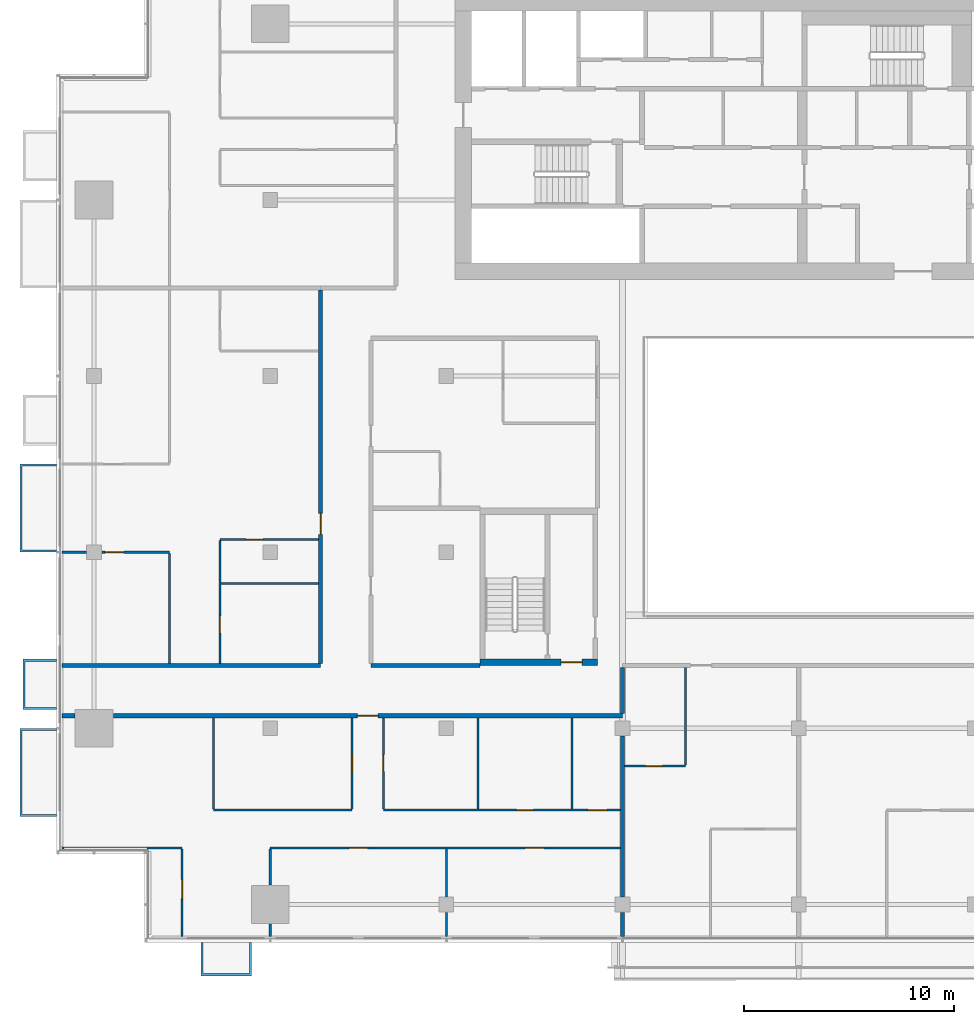
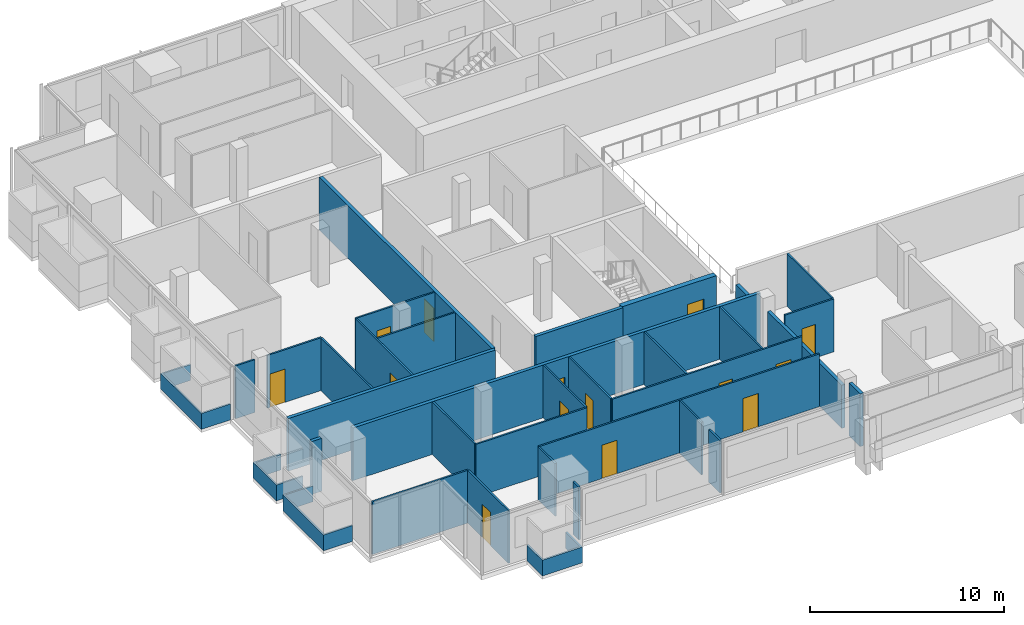
# One storey, part 18 of 28: 35 walls, 14 doors, 14 openings.
"""IFC4 building model written with IfcOpenShell, lengths in metres."""

from ifc_helpers import new_model, si_unit, direction, frame, frame_2d, origin, place, context, subcontext, project, spatial, polyline, rectangle, outline, extrude, material, layer, layer_set, type_object, element, fill, save


model = new_model("IFC4")

# Units and contexts
model_context = context("Model", 3, precision=1e-05, world=origin(), true_north=direction((0.0, 1.0)))
body_context = subcontext(model_context, "Body", "Model", "MODEL_VIEW")
ifc_project = project(units=[si_unit("LENGTHUNIT", "METRE"), si_unit("AREAUNIT", "SQUARE_METRE"), si_unit("VOLUMEUNIT", "CUBIC_METRE"), si_unit("PLANEANGLEUNIT", "RADIAN"), si_unit("MASSUNIT", "GRAM", prefix="KILO")], contexts=[model_context])

# Site, building, storey
site_placement = place(None, origin())
site = spatial("IfcSite", under=ifc_project, at=site_placement, CompositionType="ELEMENT")
building_placement = place(site_placement, origin())
building = spatial("IfcBuilding", under=site, at=building_placement, Name="Saffron Gate Tower", CompositionType="ELEMENT")
storey_placement = place(building_placement, frame((0.0, 0.0, 151.050048828125)))
storey = spatial("IfcBuildingStorey", under=building, at=storey_placement, Name="L36", CompositionType="ELEMENT", Elevation=151.050048828125)

# Wall, opening, door
ifc_material_1 = material(Name="Concrete C60", Category="concrete")
ifc_layer_1 = layer(ifc_material_1, 0.300048828125)
ifc_layer_set_1 = layer_set([ifc_layer_1], Name="CW17 RC core wall 300 C60")
wall_type_1 = type_object("IfcWallType", Name="CW17 RC core wall 300 C60", PredefinedType="SOLIDWALL", material=ifc_layer_set_1)
wall_1_placement = place(storey_placement, frame((68.199951171875, 43.35009765625, 0.0), z_axis=(0.0, 0.0, 1.0), x_axis=(1.0, 0.0, 0.0)))
wall_1 = element("IfcWall", 1, at=wall_1_placement, inside=storey, type_object=wall_type_1, Name="Wall CW17-L36-D-1", PredefinedType="SOLIDWALL", context=body_context, shape_type="SweptSolid", body=[
    extrude(rectangle(XDim=5.60009765625, YDim=0.300048828125, at=frame_2d((2.800048828125, 0.0))), origin(), (0.0, 0.0, 1.0), 3.320068359375),
])
opening_1_placement = place(wall_1_placement, frame((3.875, 0.0, 0.0)))
opening_1 = element("IfcOpeningElement", 2, at=opening_1_placement, cuts=wall_1, Name="Opening CR-18", PredefinedType="OPENING", context=body_context, shape_type="SweptSolid", body=[
    extrude(rectangle(XDim=1.0, YDim=2.10009765625, at=frame_2d((0.5, 1.050048828125))), frame((0.0, 0.16015625, 0.0), z_axis=(0.0, -1.0, 0.0), x_axis=(1.0, 0.0, 0.0)), (0.0, 0.0, 1.0), 0.320068359375),
])
ifc_material_2 = material(Name="Steel fire door set", Category="steel")
door_type_1 = type_object("IfcDoorType", Name="CD4 Lobby door 1000x2100 EI 120", OperationType="NOTDEFINED", PredefinedType="DOOR", material=ifc_material_2)
door_1_placement = place(opening_1_placement, origin())
door_1 = element("IfcDoor", 3, at=door_1_placement, inside=storey, type_object=door_type_1, Name="DOOR CR-18", OperationType="SINGLE_SWING_RIGHT", OverallHeight=2.10009765625, OverallWidth=1.0, PredefinedType="DOOR", context=body_context, shape_type="SweptSolid", body=[
    extrude(rectangle(XDim=1.0, YDim=2.10009765625, at=frame_2d((0.5, 1.050048828125))), frame((0.0, 0.02490234375, 0.0), z_axis=(0.0, -1.0, 0.0), x_axis=(1.0, 0.0, 0.0)), (0.0, 0.0, 1.0), 0.050048828125),
])
fill(opening_1, door_1)

# Wall
ifc_material_3 = material(Name="Plasterboard on steel studs", Category="steel")
ifc_layer_2 = layer(ifc_material_3, 0.10009765625)
ifc_layer_set_2 = layer_set([ifc_layer_2], Name="PW1 Partition 100")
wall_type_2 = type_object("IfcWallType", Name="PW1 Partition 100", PredefinedType="PARTITIONING", material=ifc_layer_set_2)
wall_2_placement = place(storey_placement, frame((48.280029296875, 34.5, 0.0), z_axis=(0.0, 0.0, 1.0), x_axis=(1.0, 0.0, 0.0)))
element("IfcWall", 4, at=wall_2_placement, inside=storey, type_object=wall_type_2, Name="Partition C1-1", PredefinedType="PARTITIONING", context=body_context, shape_type="SweptSolid", body=[
    extrude(rectangle(XDim=5.719970703125, YDim=0.10009765625, at=frame_2d((2.85986328125, 0.0))), origin(), (0.0, 0.0, 1.0), 3.320068359375),
])

# Wall, openings, doors
wall_3_placement = place(storey_placement, frame((74.89990234375, 34.5, 0.0), z_axis=(0.0, 0.0, 1.0), x_axis=(-1.0, 0.0, 0.0)))
wall_3 = element("IfcWall", 5, at=wall_3_placement, inside=storey, type_object=wall_type_2, Name="Partition C1-2", PredefinedType="PARTITIONING", context=body_context, shape_type="SweptSolid", body=[
    extrude(rectangle(XDim=16.699951171875, YDim=0.10009765625, at=frame_2d((8.35009765625, 0.0))), origin(), (0.0, 0.0, 1.0), 3.320068359375),
])
opening_2_placement = place(wall_3_placement, frame((3.64990234375, 0.0, 0.0)))
opening_2 = element("IfcOpeningElement", 6, at=opening_2_placement, cuts=wall_3, Name="Opening C1-13", PredefinedType="OPENING", context=body_context, shape_type="SweptSolid", body=[
    extrude(rectangle(XDim=0.89990234375, YDim=2.10009765625, at=frame_2d((0.449951171875, 1.050048828125))), frame((0.0, 0.06005859375, 0.0), z_axis=(0.0, -1.0, 0.0), x_axis=(1.0, 0.0, 0.0)), (0.0, 0.0, 1.0), 0.1201171875),
])
opening_3_placement = place(wall_3_placement, frame((12.050048828125, 0.0, 0.0)))
opening_3 = element("IfcOpeningElement", 7, at=opening_3_placement, cuts=wall_3, Name="Opening C1-12", PredefinedType="OPENING", context=body_context, shape_type="SweptSolid", body=[
    extrude(rectangle(XDim=0.89990234375, YDim=2.10009765625, at=frame_2d((0.449951171875, 1.050048828125))), frame((0.0, 0.06005859375, 0.0), z_axis=(0.0, -1.0, 0.0), x_axis=(1.0, 0.0, 0.0)), (0.0, 0.0, 1.0), 0.1201171875),
])
ifc_material_4 = material(Name="Timber door set", Category="wood")
door_type_2 = type_object("IfcDoorType", Name="RD1 Room door 900x2100", OperationType="NOTDEFINED", PredefinedType="DOOR", material=ifc_material_4)
door_2_placement = place(opening_2_placement, origin())
door_2 = element("IfcDoor", 8, at=door_2_placement, inside=storey, type_object=door_type_2, Name="Door C1-13", OperationType="SINGLE_SWING_LEFT", OverallHeight=2.10009765625, OverallWidth=0.89990234375, PredefinedType="DOOR", context=body_context, shape_type="SweptSolid", body=[
    extrude(rectangle(XDim=0.89990234375, YDim=2.10009765625, at=frame_2d((0.449951171875, 1.050048828125))), frame((0.0, 0.02490234375, 0.0), z_axis=(0.0, -1.0, 0.0), x_axis=(1.0, 0.0, 0.0)), (0.0, 0.0, 1.0), 0.050048828125),
])
fill(opening_2, door_2)
door_3_placement = place(opening_3_placement, origin())
door_3 = element("IfcDoor", 9, at=door_3_placement, inside=storey, type_object=door_type_2, Name="Door C1-12", OperationType="SINGLE_SWING_RIGHT", OverallHeight=2.10009765625, OverallWidth=0.89990234375, PredefinedType="DOOR", context=body_context, shape_type="SweptSolid", body=[
    extrude(rectangle(XDim=0.89990234375, YDim=2.10009765625, at=frame_2d((0.449951171875, 1.050048828125))), frame((0.0, 0.02490234375, 0.0), z_axis=(0.0, -1.0, 0.0), x_axis=(1.0, 0.0, 0.0)), (0.0, 0.0, 1.0), 0.050048828125),
])
fill(opening_3, door_3)

# Wall
wall_4_placement = place(storey_placement, frame((55.5, 36.300048828125, 0.0), z_axis=(0.0, 0.0, 1.0), x_axis=(1.0, 0.0, 0.0)))
element("IfcWall", 10, at=wall_4_placement, inside=storey, type_object=wall_type_2, Name="Partition C1-6", PredefinedType="PARTITIONING", context=body_context, shape_type="SweptSolid", body=[
    extrude(rectangle(XDim=6.60009765625, YDim=0.10009765625, at=frame_2d((3.300048828125, 0.0))), origin(), (0.0, 0.0, 1.0), 3.320068359375),
])

# Wall, openings, doors
wall_5_placement = place(storey_placement, frame((63.60009765625, 36.300048828125, 0.0), z_axis=(0.0, 0.0, 1.0), x_axis=(1.0, 0.0, 0.0)))
wall_5 = element("IfcWall", 11, at=wall_5_placement, inside=storey, type_object=wall_type_2, Name="Partition C1-7", PredefinedType="PARTITIONING", context=body_context, shape_type="SweptSolid", body=[
    extrude(rectangle(XDim=11.2998046875, YDim=0.10009765625, at=frame_2d((5.64990234375, 0.0))), origin(), (0.0, 0.0, 1.0), 3.320068359375),
])
opening_4_placement = place(wall_5_placement, frame((6.35009765625, 0.0, 0.0)))
opening_4 = element("IfcOpeningElement", 12, at=opening_4_placement, cuts=wall_5, Name="Opening C1-40", PredefinedType="OPENING", context=body_context, shape_type="SweptSolid", body=[
    extrude(rectangle(XDim=0.800048828125, YDim=2.10009765625, at=frame_2d((0.39990234375, 1.050048828125))), frame((0.0, 0.06005859375, 0.0), z_axis=(0.0, -1.0, 0.0), x_axis=(1.0, 0.0, 0.0)), (0.0, 0.0, 1.0), 0.1201171875),
])
opening_5_placement = place(wall_5_placement, frame((9.75, 0.0, 0.0)))
opening_5 = element("IfcOpeningElement", 13, at=opening_5_placement, cuts=wall_5, Name="Opening C1-15", PredefinedType="OPENING", context=body_context, shape_type="SweptSolid", body=[
    extrude(rectangle(XDim=0.89990234375, YDim=2.10009765625, at=frame_2d((0.449951171875, 1.050048828125))), frame((0.0, 0.06005859375, 0.0), z_axis=(0.0, -1.0, 0.0), x_axis=(1.0, 0.0, 0.0)), (0.0, 0.0, 1.0), 0.1201171875),
])
door_4_placement = place(opening_5_placement, origin())
door_4 = element("IfcDoor", 14, at=door_4_placement, inside=storey, type_object=door_type_2, Name="Door C1-15", OperationType="SINGLE_SWING_RIGHT", OverallHeight=2.10009765625, OverallWidth=0.89990234375, PredefinedType="DOOR", context=body_context, shape_type="SweptSolid", body=[
    extrude(rectangle(XDim=0.89990234375, YDim=2.10009765625, at=frame_2d((0.449951171875, 1.050048828125))), frame((0.0, 0.02490234375, 0.0), z_axis=(0.0, -1.0, 0.0), x_axis=(1.0, 0.0, 0.0)), (0.0, 0.0, 1.0), 0.050048828125),
])
fill(opening_5, door_4)
door_type_3 = type_object("IfcDoorType", Name="RD2 Bathroom door 800x2100", OperationType="NOTDEFINED", PredefinedType="DOOR", material=ifc_material_4)
door_5_placement = place(opening_4_placement, origin())
door_5 = element("IfcDoor", 15, at=door_5_placement, inside=storey, type_object=door_type_3, Name="Door C1-40", OperationType="SINGLE_SWING_RIGHT", OverallHeight=2.10009765625, OverallWidth=0.800048828125, PredefinedType="DOOR", context=body_context, shape_type="SweptSolid", body=[
    extrude(rectangle(XDim=0.800048828125, YDim=2.10009765625, at=frame_2d((0.39990234375, 1.050048828125))), frame((0.0, 0.02490234375, 0.0), z_axis=(0.0, -1.0, 0.0), x_axis=(1.0, 0.0, 0.0)), (0.0, 0.0, 1.0), 0.050048828125),
])
fill(opening_4, door_5)

# Wall, opening, door
wall_6_placement = place(storey_placement, frame((75.10009765625, 38.39990234375, 0.0), z_axis=(0.0, 0.0, 1.0), x_axis=(1.0, 0.0, 0.0)))
wall_6 = element("IfcWall", 16, at=wall_6_placement, inside=storey, type_object=wall_type_2, Name="Partition C1-9", PredefinedType="PARTITIONING", context=body_context, shape_type="SweptSolid", body=[
    extrude(rectangle(XDim=2.89990234375, YDim=0.10009765625, at=frame_2d((1.449951171875, 0.0))), origin(), (0.0, 0.0, 1.0), 3.320068359375),
])
opening_6_placement = place(wall_6_placement, frame((1.0, 0.0, 0.0)))
opening_6 = element("IfcOpeningElement", 17, at=opening_6_placement, cuts=wall_6, Name="Opening C1-41", PredefinedType="OPENING", context=body_context, shape_type="SweptSolid", body=[
    extrude(rectangle(XDim=0.800048828125, YDim=2.10009765625, at=frame_2d((0.39990234375, 1.050048828125))), frame((0.0, 0.06005859375, 0.0), z_axis=(0.0, -1.0, 0.0), x_axis=(1.0, 0.0, 0.0)), (0.0, 0.0, 1.0), 0.1201171875),
])
door_6_placement = place(opening_6_placement, origin())
door_6 = element("IfcDoor", 18, at=door_6_placement, inside=storey, type_object=door_type_3, Name="Door C1-41", OperationType="SINGLE_SWING_LEFT", OverallHeight=2.10009765625, OverallWidth=0.800048828125, PredefinedType="DOOR", context=body_context, shape_type="SweptSolid", body=[
    extrude(rectangle(XDim=0.800048828125, YDim=2.10009765625, at=frame_2d((0.39990234375, 1.050048828125))), frame((0.0, 0.02490234375, 0.0), z_axis=(0.0, -1.0, 0.0), x_axis=(1.0, 0.0, 0.0)), (0.0, 0.0, 1.0), 0.050048828125),
])
fill(opening_6, door_6)

# Walls
wall_7_placement = place(storey_placement, frame((55.85009765625, 47.10009765625, 0.0), z_axis=(0.0, 0.0, 1.0), x_axis=(1.0, 0.0, 0.0)))
element("IfcWall", 19, at=wall_7_placement, inside=storey, type_object=wall_type_2, Name="Partition C1-20", PredefinedType="PARTITIONING", context=body_context, shape_type="SweptSolid", body=[
    extrude(rectangle(XDim=4.64990234375, YDim=0.10009765625, at=frame_2d((2.324951171875, 0.0))), origin(), (0.0, 0.0, 1.0), 3.320068359375),
])
wall_8_placement = place(storey_placement, frame((48.280029296875, 48.60009765625, 0.0), z_axis=(0.0, 0.0, 1.0), x_axis=(1.0, 0.0, 0.0)))
element("IfcWall", 20, at=wall_8_placement, inside=storey, type_object=wall_type_2, Name="Partition C1-21", PredefinedType="PARTITIONING", context=body_context, shape_type="SweptSolid", body=[
    extrude(rectangle(XDim=1.14990234375, YDim=0.10009765625, at=frame_2d((0.574951171875, 0.0))), origin(), (0.0, 0.0, 1.0), 3.320068359375),
])

# Wall, opening, door
wall_9_placement = place(storey_placement, frame((53.39990234375, 48.60009765625, 0.0), z_axis=(0.0, 0.0, 1.0), x_axis=(-1.0, 0.0, 0.0)))
wall_9 = element("IfcWall", 21, at=wall_9_placement, inside=storey, type_object=wall_type_2, Name="Partition C1-22", PredefinedType="PARTITIONING", context=body_context, shape_type="SweptSolid", body=[
    extrude(rectangle(XDim=3.22998046875, YDim=0.10009765625, at=frame_2d((1.614990234375, 0.0))), origin(), (0.0, 0.0, 1.0), 3.320068359375),
])
opening_7_placement = place(wall_9_placement, frame((2.179931640625, 0.0, 0.0)))
opening_7 = element("IfcOpeningElement", 22, at=opening_7_placement, cuts=wall_9, Name="Opening C1-25", PredefinedType="OPENING", context=body_context, shape_type="SweptSolid", body=[
    extrude(rectangle(XDim=0.89990234375, YDim=2.10009765625, at=frame_2d((0.449951171875, 1.050048828125))), frame((0.0, 0.06005859375, 0.0), z_axis=(0.0, -1.0, 0.0), x_axis=(1.0, 0.0, 0.0)), (0.0, 0.0, 1.0), 0.1201171875),
])
door_7_placement = place(opening_7_placement, origin())
door_7 = element("IfcDoor", 23, at=door_7_placement, inside=storey, type_object=door_type_2, Name="Door C1-25", OperationType="SINGLE_SWING_RIGHT", OverallHeight=2.10009765625, OverallWidth=0.89990234375, PredefinedType="DOOR", context=body_context, shape_type="SweptSolid", body=[
    extrude(rectangle(XDim=0.89990234375, YDim=2.10009765625, at=frame_2d((0.449951171875, 1.050048828125))), frame((0.0, 0.02490234375, 0.0), z_axis=(0.0, -1.0, 0.0), x_axis=(1.0, 0.0, 0.0)), (0.0, 0.0, 1.0), 0.050048828125),
])
fill(opening_7, door_7)

wall_10_placement = place(storey_placement, frame((60.5, 49.199951171875, 0.0), z_axis=(0.0, 0.0, 1.0), x_axis=(-1.0, 0.0, 0.0)))
wall_10 = element("IfcWall", 24, at=wall_10_placement, inside=storey, type_object=wall_type_2, Name="Partition C1-25", PredefinedType="PARTITIONING", context=body_context, shape_type="SweptSolid", body=[
    extrude(rectangle(XDim=4.699951171875, YDim=0.10009765625, at=frame_2d((2.35009765625, 0.0))), origin(), (0.0, 0.0, 1.0), 3.320068359375),
])
opening_8_placement = place(wall_10_placement, frame((2.64990234375, 0.0, 0.0)))
opening_8 = element("IfcOpeningElement", 25, at=opening_8_placement, cuts=wall_10, Name="Opening C1-47", PredefinedType="OPENING", context=body_context, shape_type="SweptSolid", body=[
    extrude(rectangle(XDim=0.800048828125, YDim=2.10009765625, at=frame_2d((0.39990234375, 1.050048828125))), frame((0.0, 0.06005859375, 0.0), z_axis=(0.0, -1.0, 0.0), x_axis=(1.0, 0.0, 0.0)), (0.0, 0.0, 1.0), 0.1201171875),
])
door_8_placement = place(opening_8_placement, origin())
door_8 = element("IfcDoor", 26, at=door_8_placement, inside=storey, type_object=door_type_3, Name="Door C1-47", OperationType="SINGLE_SWING_RIGHT", OverallHeight=2.10009765625, OverallWidth=0.800048828125, PredefinedType="DOOR", context=body_context, shape_type="SweptSolid", body=[
    extrude(rectangle(XDim=0.800048828125, YDim=2.10009765625, at=frame_2d((0.39990234375, 1.050048828125))), frame((0.0, 0.02490234375, 0.0), z_axis=(0.0, -1.0, 0.0), x_axis=(1.0, 0.0, 0.0)), (0.0, 0.0, 1.0), 0.050048828125),
])
fill(opening_8, door_8)

# Wall
wall_11_placement = place(storey_placement, frame((53.39990234375, 48.550048828125, 0.0), z_axis=(0.0, 0.0, 1.0), x_axis=(0.0, -1.0, 0.0)))
element("IfcWall", 27, at=wall_11_placement, inside=storey, type_object=wall_type_2, Name="Partition C1-57", PredefinedType="PARTITIONING", context=body_context, shape_type="SweptSolid", body=[
    extrude(rectangle(XDim=5.25, YDim=0.10009765625, at=frame_2d((2.625, 0.0))), origin(), (0.0, 0.0, 1.0), 3.320068359375),
])

# Wall, opening, door
wall_12_placement = place(storey_placement, frame((54.0, 30.280029296875, 0.0), z_axis=(0.0, 0.0, 1.0), x_axis=(0.0, 1.0, 0.0)))
wall_12 = element("IfcWall", 28, at=wall_12_placement, inside=storey, type_object=wall_type_2, Name="Partition C1-58", PredefinedType="PARTITIONING", context=body_context, shape_type="SweptSolid", body=[
    extrude(rectangle(XDim=4.169921875, YDim=0.10009765625, at=frame_2d((2.0849609375, 0.0))), origin(), (0.0, 0.0, 1.0), 3.320068359375),
])
opening_9_placement = place(wall_12_placement, frame((1.802734375, 0.0, 0.0)))
opening_9 = element("IfcOpeningElement", 29, at=opening_9_placement, cuts=wall_12, Name="Opening C1-11", PredefinedType="OPENING", context=body_context, shape_type="SweptSolid", body=[
    extrude(rectangle(XDim=0.89990234375, YDim=2.10009765625, at=frame_2d((0.449951171875, 1.050048828125))), frame((0.0, 0.06005859375, 0.0), z_axis=(0.0, -1.0, 0.0), x_axis=(1.0, 0.0, 0.0)), (0.0, 0.0, 1.0), 0.1201171875),
])
door_9_placement = place(opening_9_placement, origin())
door_9 = element("IfcDoor", 30, at=door_9_placement, inside=storey, type_object=door_type_2, Name="Door C1-11", OperationType="SINGLE_SWING_RIGHT", OverallHeight=2.10009765625, OverallWidth=0.89990234375, PredefinedType="DOOR", context=body_context, shape_type="SweptSolid", body=[
    extrude(rectangle(XDim=0.89990234375, YDim=2.10009765625, at=frame_2d((0.449951171875, 1.050048828125))), frame((0.0, 0.02490234375, 0.0), z_axis=(0.0, -1.0, 0.0), x_axis=(1.0, 0.0, 0.0)), (0.0, 0.0, 1.0), 0.050048828125),
])
fill(opening_9, door_9)

# Wall
wall_13_placement = place(storey_placement, frame((55.5, 40.699951171875, 0.0), z_axis=(0.0, 0.0, 1.0), x_axis=(0.0, -1.0, 0.0)))
element("IfcWall", 31, at=wall_13_placement, inside=storey, type_object=wall_type_2, Name="Partition C1-59", PredefinedType="PARTITIONING", context=body_context, shape_type="SweptSolid", body=[
    extrude(rectangle(XDim=4.349853515625, YDim=0.10009765625, at=frame_2d((2.1748046875, 0.0))), origin(), (0.0, 0.0, 1.0), 3.320068359375),
])

# Wall, opening, door
wall_14_placement = place(storey_placement, frame((55.800048828125, 49.14990234375, 0.0), z_axis=(0.0, 0.0, 1.0), x_axis=(0.0, -1.0, 0.0)))
wall_14 = element("IfcWall", 32, at=wall_14_placement, inside=storey, type_object=wall_type_2, Name="Partition C1-60", PredefinedType="PARTITIONING", context=body_context, shape_type="SweptSolid", body=[
    extrude(rectangle(XDim=5.849853515625, YDim=0.10009765625, at=frame_2d((2.9248046875, 0.0))), origin(), (0.0, 0.0, 1.0), 3.320068359375),
])
opening_10_placement = place(wall_14_placement, frame((3.60009765625, 0.0, 0.0)))
opening_10 = element("IfcOpeningElement", 33, at=opening_10_placement, cuts=wall_14, Name="Opening C1-46", PredefinedType="OPENING", context=body_context, shape_type="SweptSolid", body=[
    extrude(rectangle(XDim=0.800048828125, YDim=2.10009765625, at=frame_2d((0.39990234375, 1.050048828125))), frame((0.0, 0.06005859375, 0.0), z_axis=(0.0, -1.0, 0.0), x_axis=(1.0, 0.0, 0.0)), (0.0, 0.0, 1.0), 0.1201171875),
])
door_10_placement = place(opening_10_placement, origin())
door_10 = element("IfcDoor", 34, at=door_10_placement, inside=storey, type_object=door_type_3, Name="Door C1-46", OperationType="SINGLE_SWING_RIGHT", OverallHeight=2.10009765625, OverallWidth=0.800048828125, PredefinedType="DOOR", context=body_context, shape_type="SweptSolid", body=[
    extrude(rectangle(XDim=0.800048828125, YDim=2.10009765625, at=frame_2d((0.39990234375, 1.050048828125))), frame((0.0, 0.02490234375, 0.0), z_axis=(0.0, -1.0, 0.0), x_axis=(1.0, 0.0, 0.0)), (0.0, 0.0, 1.0), 0.050048828125),
])
fill(opening_10, door_10)

# Walls
wall_15_placement = place(storey_placement, frame((58.199951171875, 30.8798828125, 0.0), z_axis=(0.0, 0.0, 1.0), x_axis=(0.0, -1.0, 0.0)))
element("IfcWall", 35, at=wall_15_placement, inside=storey, type_object=wall_type_2, Name="Partition C1-64", PredefinedType="PARTITIONING", context=body_context, shape_type="SweptSolid", body=[
    extrude(rectangle(XDim=0.599853515625, YDim=0.10009765625, at=frame_2d((0.2998046875, 0.0))), origin(), (0.0, 0.0, 1.0), 3.320068359375),
])
wall_16_placement = place(storey_placement, frame((58.199951171875, 34.449951171875, 0.0), z_axis=(0.0, 0.0, 1.0), x_axis=(0.0, -1.0, 0.0)))
element("IfcWall", 36, at=wall_16_placement, inside=storey, type_object=wall_type_2, Name="Partition C1-65", PredefinedType="PARTITIONING", context=body_context, shape_type="SweptSolid", body=[
    extrude(rectangle(XDim=1.72998046875, YDim=0.10009765625, at=frame_2d((0.864990234375, 0.0))), origin(), (0.0, 0.0, 1.0), 3.320068359375),
])

# Wall, opening, door
wall_17_placement = place(storey_placement, frame((62.10009765625, 36.35009765625, 0.0), z_axis=(0.0, 0.0, 1.0), x_axis=(0.0, 1.0, 0.0)))
wall_17 = element("IfcWall", 37, at=wall_17_placement, inside=storey, type_object=wall_type_2, Name="Partition C1-67", PredefinedType="PARTITIONING", context=body_context, shape_type="SweptSolid", body=[
    extrude(rectangle(XDim=4.349853515625, YDim=0.10009765625, at=frame_2d((2.1748046875, 0.0))), origin(), (0.0, 0.0, 1.0), 3.320068359375),
])
opening_11_placement = place(wall_17_placement, frame((1.75, 0.0, 0.0)))
opening_11 = element("IfcOpeningElement", 38, at=opening_11_placement, cuts=wall_17, Name="Opening C1-14", PredefinedType="OPENING", context=body_context, shape_type="SweptSolid", body=[
    extrude(rectangle(XDim=0.89990234375, YDim=2.10009765625, at=frame_2d((0.449951171875, 1.050048828125))), frame((0.0, 0.06005859375, 0.0), z_axis=(0.0, -1.0, 0.0), x_axis=(1.0, 0.0, 0.0)), (0.0, 0.0, 1.0), 0.1201171875),
])
door_11_placement = place(opening_11_placement, origin())
door_11 = element("IfcDoor", 39, at=door_11_placement, inside=storey, type_object=door_type_2, Name="Door C1-14", OperationType="SINGLE_SWING_RIGHT", OverallHeight=2.10009765625, OverallWidth=0.89990234375, PredefinedType="DOOR", context=body_context, shape_type="SweptSolid", body=[
    extrude(rectangle(XDim=0.89990234375, YDim=2.10009765625, at=frame_2d((0.449951171875, 1.050048828125))), frame((0.0, 0.02490234375, 0.0), z_axis=(0.0, -1.0, 0.0), x_axis=(1.0, 0.0, 0.0)), (0.0, 0.0, 1.0), 0.050048828125),
])
fill(opening_11, door_11)

wall_18_placement = place(storey_placement, frame((63.60009765625, 40.699951171875, 0.0), z_axis=(0.0, 0.0, 1.0), x_axis=(0.0, -1.0, 0.0)))
wall_18 = element("IfcWall", 40, at=wall_18_placement, inside=storey, type_object=wall_type_2, Name="Partition C1-69", PredefinedType="PARTITIONING", context=body_context, shape_type="SweptSolid", body=[
    extrude(rectangle(XDim=4.349853515625, YDim=0.10009765625, at=frame_2d((2.1748046875, 0.0))), origin(), (0.0, 0.0, 1.0), 3.320068359375),
])
opening_12_placement = place(wall_18_placement, frame((1.75, 0.0, 0.0)))
opening_12 = element("IfcOpeningElement", 41, at=opening_12_placement, cuts=wall_18, Name="Opening C1-39", PredefinedType="OPENING", context=body_context, shape_type="SweptSolid", body=[
    extrude(rectangle(XDim=0.800048828125, YDim=2.10009765625, at=frame_2d((0.39990234375, 1.050048828125))), frame((0.0, 0.06005859375, 0.0), z_axis=(0.0, -1.0, 0.0), x_axis=(1.0, 0.0, 0.0)), (0.0, 0.0, 1.0), 0.1201171875),
])
door_12_placement = place(opening_12_placement, origin())
door_12 = element("IfcDoor", 42, at=door_12_placement, inside=storey, type_object=door_type_3, Name="Door C1-39", OperationType="SINGLE_SWING_LEFT", OverallHeight=2.10009765625, OverallWidth=0.800048828125, PredefinedType="DOOR", context=body_context, shape_type="SweptSolid", body=[
    extrude(rectangle(XDim=0.800048828125, YDim=2.10009765625, at=frame_2d((0.39990234375, 1.050048828125))), frame((0.0, 0.02490234375, 0.0), z_axis=(0.0, -1.0, 0.0), x_axis=(1.0, 0.0, 0.0)), (0.0, 0.0, 1.0), 0.050048828125),
])
fill(opening_12, door_12)

# Walls
wall_19_placement = place(storey_placement, frame((66.60009765625, 31.429931640625, 0.0), z_axis=(0.0, 0.0, 1.0), x_axis=(0.0, -1.0, 0.0)))
element("IfcWall", 43, at=wall_19_placement, inside=storey, type_object=wall_type_2, Name="Partition C1-72", PredefinedType="PARTITIONING", context=body_context, shape_type="SweptSolid", body=[
    extrude(rectangle(XDim=1.14990234375, YDim=0.10009765625, at=frame_2d((0.574951171875, 0.0))), origin(), (0.0, 0.0, 1.0), 3.320068359375),
])
wall_20_placement = place(storey_placement, frame((66.60009765625, 34.449951171875, 0.0), z_axis=(0.0, 0.0, 1.0), x_axis=(0.0, -1.0, 0.0)))
element("IfcWall", 44, at=wall_20_placement, inside=storey, type_object=wall_type_2, Name="Partition C1-73", PredefinedType="PARTITIONING", context=body_context, shape_type="SweptSolid", body=[
    extrude(rectangle(XDim=2.280029296875, YDim=0.10009765625, at=frame_2d((1.14013671875, 0.0))), origin(), (0.0, 0.0, 1.0), 3.320068359375),
])
for number, where, z_axis, x_axis, name in (
    (45, (68.10009765625, 40.699951171875, 0.0), (0.0, 0.0, 1.0), (0.0, -1.0, 0.0), "Partition C1-74"),
    (46, (72.60009765625, 40.699951171875, 0.0), (0.0, 0.0, 1.0), (0.0, -1.0, 0.0), "Partition C1-76"),
):
    element("IfcWall", number, at=place(storey_placement, frame(where, z_axis=z_axis, x_axis=x_axis)), inside=storey, type_object=wall_type_2, Name=name, PredefinedType="PARTITIONING", context=body_context, shape_type="SweptSolid", body=[
        extrude(rectangle(XDim=4.349853515625, YDim=0.10009765625, at=frame_2d((2.1748046875, 0.0))), origin(), (0.0, 0.0, 1.0), 3.320068359375),
    ])
wall_21_placement = place(storey_placement, frame((78.0, 43.10009765625, 0.0), z_axis=(0.0, 0.0, 1.0), x_axis=(0.0, -1.0, 0.0)))
element("IfcWall", 47, at=wall_21_placement, inside=storey, type_object=wall_type_2, Name="Partition C1-81", PredefinedType="PARTITIONING", context=body_context, shape_type="SweptSolid", body=[
    extrude(rectangle(XDim=4.650146484375, YDim=0.10009765625, at=frame_2d((2.3251953125, 0.0))), origin(), (0.0, 0.0, 1.0), 3.320068359375),
])
ifc_material_5 = material(Name="Clay brick masonry, rendered", Category="masonry")
ifc_layer_3 = layer(ifc_material_5, 0.199951171875)
ifc_layer_set_3 = layer_set([ifc_layer_3], Name="PW2 Demising wall 200")
wall_type_3 = type_object("IfcWallType", Name="PW2 Demising wall 200", PredefinedType="PARTITIONING", material=ifc_layer_set_3)
wall_22_placement = place(storey_placement, frame((75.0, 31.429931640625, 0.0), z_axis=(0.0, 0.0, 1.0), x_axis=(0.0, -1.0, 0.0)))
element("IfcWall", 48, at=wall_22_placement, inside=storey, type_object=wall_type_3, Name="Wall C1-79", PredefinedType="PARTITIONING", context=body_context, shape_type="SweptSolid", body=[
    extrude(rectangle(XDim=1.14990234375, YDim=0.199951171875, at=frame_2d((0.574951171875, 0.0))), origin(), (0.0, 0.0, 1.0), 3.320068359375),
])
wall_23_placement = place(storey_placement, frame((75.0, 39.830078125, 0.0), z_axis=(0.0, 0.0, 1.0), x_axis=(0.0, -1.0, 0.0)))
element("IfcWall", 49, at=wall_23_placement, inside=storey, type_object=wall_type_3, Name="Wall C1-80", PredefinedType="PARTITIONING", context=body_context, shape_type="SweptSolid", body=[
    extrude(rectangle(XDim=7.66015625, YDim=0.199951171875, at=frame_2d((3.830078125, 0.0))), origin(), (0.0, 0.0, 1.0), 2.719970703125),
])
ifc_layer_4 = layer(ifc_material_5, 0.199951171875)
ifc_layer_set_4 = layer_set([ifc_layer_4], Name="PW3 Corridor wall 200")
wall_type_4 = type_object("IfcWallType", Name="PW3 Corridor wall 200", PredefinedType="PARTITIONING", material=ifc_layer_set_4)
wall_24_placement = place(storey_placement, frame((48.280029296875, 40.800048828125, 0.0), z_axis=(0.0, 0.0, 1.0), x_axis=(1.0, 0.0, 0.0)))
element("IfcWall", 50, at=wall_24_placement, inside=storey, type_object=wall_type_4, Name="Wall C1-11", PredefinedType="PARTITIONING", context=body_context, shape_type="SweptSolid", body=[
    extrude(rectangle(XDim=0.599853515625, YDim=0.199951171875, at=frame_2d((0.2998046875, 0.0))), origin(), (0.0, 0.0, 1.0), 3.320068359375),
])

# Wall, opening, door
wall_25_placement = place(storey_placement, frame((75.0, 40.800048828125, 0.0), z_axis=(0.0, 0.0, 1.0), x_axis=(-1.0, 0.0, 0.0)))
wall_25 = element("IfcWall", 51, at=wall_25_placement, inside=storey, type_object=wall_type_4, Name="Wall C1-12", PredefinedType="PARTITIONING", context=body_context, shape_type="SweptSolid", body=[
    extrude(rectangle(XDim=24.280029296875, YDim=0.199951171875, at=frame_2d((12.14013671875, 0.0))), origin(), (0.0, 0.0, 1.0), 3.320068359375),
])
opening_13_placement = place(wall_25_placement, frame((11.64990234375, 0.0, 0.0)))
opening_13 = element("IfcOpeningElement", 52, at=opening_13_placement, cuts=wall_25, Name="Opening C1-1", PredefinedType="OPENING", context=body_context, shape_type="SweptSolid", body=[
    extrude(rectangle(XDim=1.0, YDim=2.10009765625, at=frame_2d((0.5, 1.050048828125))), frame((0.0, 0.10986328125, 0.0), z_axis=(0.0, -1.0, 0.0), x_axis=(1.0, 0.0, 0.0)), (0.0, 0.0, 1.0), 0.219970703125),
])
ifc_material_6 = material(Name="Timber fire door set", Category="wood")
door_type_4 = type_object("IfcDoorType", Name="FD1 Flat entry door 1000x2100", OperationType="NOTDEFINED", PredefinedType="DOOR", material=ifc_material_6)
door_13_placement = place(opening_13_placement, origin())
door_13 = element("IfcDoor", 53, at=door_13_placement, inside=storey, type_object=door_type_4, Name="Door C1-1", OperationType="SINGLE_SWING_LEFT", OverallHeight=2.10009765625, OverallWidth=1.0, PredefinedType="DOOR", context=body_context, shape_type="SweptSolid", body=[
    extrude(rectangle(XDim=1.0, YDim=2.10009765625, at=frame_2d((0.5, 1.050048828125))), frame((0.0, 0.02490234375, 0.0), z_axis=(0.0, -1.0, 0.0), x_axis=(1.0, 0.0, 0.0)), (0.0, 0.0, 1.0), 0.050048828125),
])
fill(opening_13, door_13)

# Walls
wall_26_placement = place(storey_placement, frame((48.280029296875, 43.199951171875, 0.0), z_axis=(0.0, 0.0, 1.0), x_axis=(1.0, 0.0, 0.0)))
element("IfcWall", 54, at=wall_26_placement, inside=storey, type_object=wall_type_4, Name="Wall C1-15", PredefinedType="PARTITIONING", context=body_context, shape_type="SweptSolid", body=[
    extrude(rectangle(XDim=12.320068359375, YDim=0.199951171875, at=frame_2d((6.16015625, 0.0))), origin(), (0.0, 0.0, 1.0), 3.320068359375),
])
wall_27_placement = place(storey_placement, frame((63.0, 43.199951171875, 0.0), z_axis=(0.0, 0.0, 1.0), x_axis=(1.0, 0.0, 0.0)))
element("IfcWall", 55, at=wall_27_placement, inside=storey, type_object=wall_type_4, Name="Wall C1-16", PredefinedType="PARTITIONING", context=body_context, shape_type="SweptSolid", body=[
    extrude(rectangle(XDim=5.199951171875, YDim=0.199951171875, at=frame_2d((2.60009765625, 0.0))), origin(), (0.0, 0.0, 1.0), 3.320068359375),
])

# Wall, opening, door
wall_28_placement = place(storey_placement, frame((60.60009765625, 43.300048828125, 0.0), z_axis=(0.0, 0.0, 1.0), x_axis=(0.0, 1.0, 0.0)))
wall_28 = element("IfcWall", 56, at=wall_28_placement, inside=storey, type_object=wall_type_4, Name="Wall C1-66", PredefinedType="PARTITIONING", context=body_context, shape_type="SweptSolid", body=[
    extrude(rectangle(XDim=17.800048828125, YDim=0.199951171875, at=frame_2d((8.89990234375, 0.0))), origin(), (0.0, 0.0, 1.0), 3.320068359375),
])
opening_14_placement = place(wall_28_placement, frame((6.14990234375, 0.0, 0.0)))
opening_14 = element("IfcOpeningElement", 57, at=opening_14_placement, cuts=wall_28, Name="Opening C1-5", PredefinedType="OPENING", context=body_context, shape_type="SweptSolid", body=[
    extrude(rectangle(XDim=1.0, YDim=2.10009765625, at=frame_2d((0.5, 1.050048828125))), frame((0.0, 0.10986328125, 0.0), z_axis=(0.0, -1.0, 0.0), x_axis=(1.0, 0.0, 0.0)), (0.0, 0.0, 1.0), 0.219970703125),
])
door_14_placement = place(opening_14_placement, origin())
door_14 = element("IfcDoor", 58, at=door_14_placement, inside=storey, type_object=door_type_4, Name="Door C1-5", OperationType="SINGLE_SWING_RIGHT", OverallHeight=2.10009765625, OverallWidth=1.0, PredefinedType="DOOR", context=body_context, shape_type="SweptSolid", body=[
    extrude(rectangle(XDim=1.0, YDim=2.10009765625, at=frame_2d((0.5, 1.050048828125))), frame((0.0, 0.02490234375, 0.0), z_axis=(0.0, -1.0, 0.0), x_axis=(1.0, 0.0, 0.0)), (0.0, 0.0, 1.0), 0.050048828125),
])
fill(opening_14, door_14)

# Walls
wall_29_placement = place(storey_placement, frame((75.0, 43.10009765625, 0.0), z_axis=(0.0, 0.0, 1.0), x_axis=(0.0, -1.0, 0.0)))
element("IfcWall", 59, at=wall_29_placement, inside=storey, type_object=wall_type_4, Name="Wall C1-78", PredefinedType="PARTITIONING", context=body_context, shape_type="SweptSolid", body=[
    extrude(rectangle(XDim=2.2001953125, YDim=0.199951171875, at=frame_2d((1.10009765625, 0.0))), origin(), (0.0, 0.0, 1.0), 2.429931640625),
])
ifc_material_7 = material(Name="Rendered insulated panel, white")
ifc_layer_5 = layer(ifc_material_7, 0.10009765625)
ifc_layer_set_5 = layer_set([ifc_layer_5], Name="WB3 box parapet white")
wall_type_5 = type_object("IfcWallType", Name="WB3 box parapet white", PredefinedType="SOLIDWALL", material=ifc_layer_set_5)
wall_30_placement = place(storey_placement, origin())
element("IfcWall", 60, at=wall_30_placement, inside=storey, type_object=wall_type_5, Name="WINDOW BOX parapet", PredefinedType="SOLIDWALL", context=body_context, shape_type="SweptSolid", body=[
    extrude(outline(polyline([(54.89990234375, 30.0), (55.0, 30.0), (55.0, 28.5), (57.199951171875, 28.5), (57.199951171875, 30.0), (57.300048828125, 30.0), (57.300048828125, 28.39990234375), (54.89990234375, 28.39990234375), (54.89990234375, 30.0)])), origin(), (0.0, 0.0, 1.0), 1.0),
])
wall_31_placement = place(storey_placement, origin())
element("IfcWall", 61, at=wall_31_placement, inside=storey, type_object=wall_type_5, Name="WINDOW BOX parapet", PredefinedType="SOLIDWALL", context=body_context, shape_type="SweptSolid", body=[
    extrude(outline(polyline([(48.0, 52.800048828125), (48.0, 52.699951171875), (46.366943359375, 52.699951171875), (46.366943359375, 48.699951171875), (48.0, 48.699951171875), (48.0, 48.60009765625), (46.26708984375, 48.60009765625), (46.26708984375, 52.800048828125), (48.0, 52.800048828125)])), origin(), (0.0, 0.0, 1.0), 1.0),
])
wall_32_placement = place(storey_placement, origin())
element("IfcWall", 62, at=wall_32_placement, inside=storey, type_object=wall_type_5, Name="WINDOW BOX parapet", PredefinedType="SOLIDWALL", context=body_context, shape_type="SweptSolid", body=[
    extrude(outline(polyline([(48.0, 43.5), (48.0, 43.39990234375), (46.5, 43.39990234375), (46.5, 41.199951171875), (48.0, 41.199951171875), (48.0, 41.10009765625), (46.39990234375, 41.10009765625), (46.39990234375, 43.5), (48.0, 43.5)])), origin(), (0.0, 0.0, 1.0), 1.0),
])
wall_33_placement = place(storey_placement, origin())
element("IfcWall", 63, at=wall_33_placement, inside=storey, type_object=wall_type_5, Name="WINDOW BOX parapet", PredefinedType="SOLIDWALL", context=body_context, shape_type="SweptSolid", body=[
    extrude(outline(polyline([(48.0, 40.199951171875), (48.0, 40.10009765625), (46.366943359375, 40.10009765625), (46.366943359375, 36.10009765625), (48.0, 36.10009765625), (48.0, 36.0), (46.26708984375, 36.0), (46.26708984375, 40.199951171875), (48.0, 40.199951171875)])), origin(), (0.0, 0.0, 1.0), 1.0),
])

save(model, "model.ifc")
